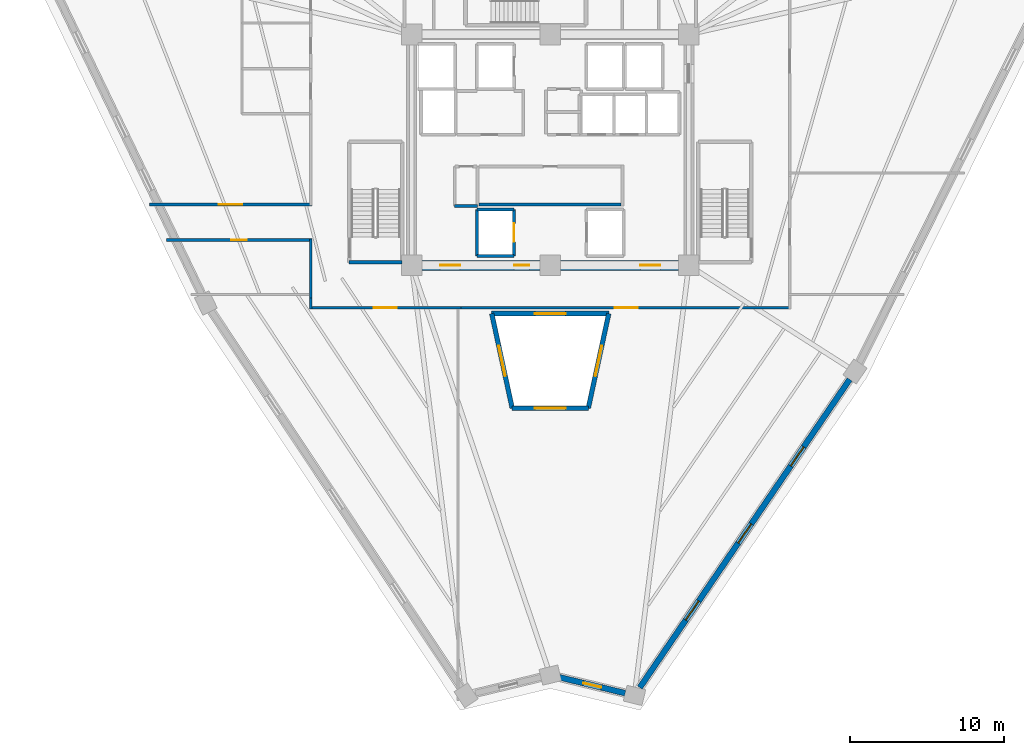
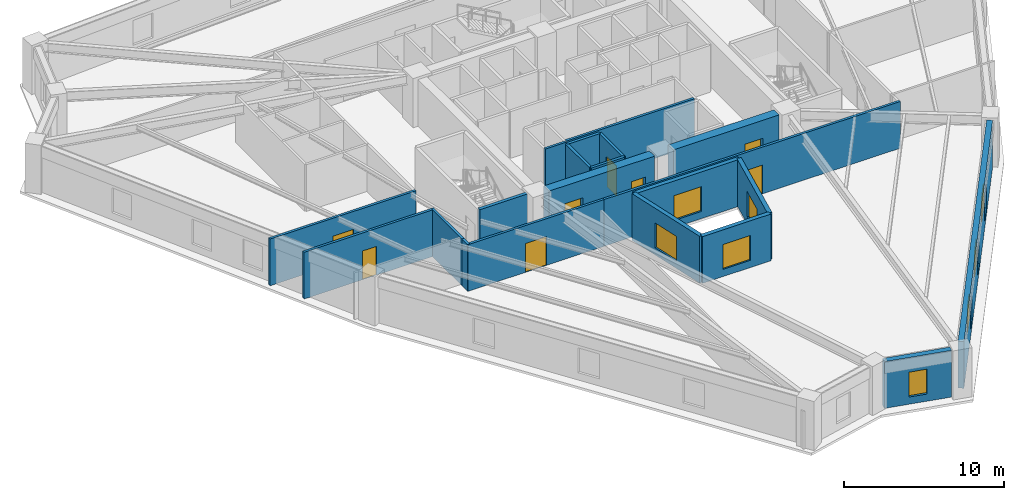
# One storey, part 3 of 8: 21 walls, 8 doors, 8 windows, 16 openings.
"""IFC4 building model written with IfcOpenShell, lengths in metres."""

from ifc_helpers import new_model, si_unit, direction, frame, frame_2d, origin, place, context, subcontext, project, spatial, rectangle, extrude, source, transform, mapped, material, layer, layer_set, type_object, element, fill, save


model = new_model("IFC4")

# Units and contexts
model_context = context("Model", 3, precision=1e-05, world=origin(), true_north=direction((0.0, 1.0)))
body_context = subcontext(model_context, "Body", "Model", "MODEL_VIEW")
ifc_project = project(units=[si_unit("LENGTHUNIT", "METRE"), si_unit("AREAUNIT", "SQUARE_METRE"), si_unit("VOLUMEUNIT", "CUBIC_METRE"), si_unit("PLANEANGLEUNIT", "RADIAN"), si_unit("MASSUNIT", "GRAM", prefix="KILO")], contexts=[model_context])

# Site, building, storey
site_placement = place(None, origin())
site = spatial("IfcSite", under=ifc_project, at=site_placement, CompositionType="ELEMENT")
building_placement = place(site_placement, origin())
building = spatial("IfcBuilding", under=site, at=building_placement, Name="Liaohun Quay Tower", CompositionType="ELEMENT")
storey_placement = place(building_placement, frame((0.0, 0.0, 213.0)))
storey = spatial("IfcBuildingStorey", under=building, at=storey_placement, Name="L55", CompositionType="ELEMENT", Elevation=213.0)

# Wall, opening, window
ifc_material_1 = material(Name="Concrete C50", Category="concrete")
ifc_layer_1 = layer(ifc_material_1, 0.300048828125, Name="Concrete C50", Category="concrete")
ifc_layer_set_1 = layer_set([ifc_layer_1], Name="Concrete C50")
wall_type_1 = type_object("IfcWallType", Name="WAL-ATR-300", PredefinedType="SOLIDWALL", material=ifc_layer_set_1)
wall_1_placement = place(storey_placement, frame((57.529052734375, 37.216064453125, 0.0), z_axis=(0.0, 0.0, 1.0), x_axis=(-0.21140087136, 0.97739944321, 0.0)))
wall_1 = element("IfcWall", 1, at=wall_1_placement, inside=storey, type_object=wall_type_1, Name="L55 Atrium Fire Compartment Wall 1", PredefinedType="SOLIDWALL", context=body_context, shape_type="SweptSolid", body=[
    extrude(rectangle(XDim=6.29638671875, YDim=0.300048828125, at=frame_2d((3.148193359375, 0.0))), origin(), (0.0, 0.0, 1.0), 3.570068359375),
])
shared_shape_1 = source(origin(), body_context, "Body", "SweptSolid", [
    extrude(rectangle(XDim=2.0, YDim=1.89990234375, at=frame_2d((1.0, 0.949951171875))), frame((0.0, 0.159912109375, 0.0), z_axis=(0.0, -1.0, 0.0), x_axis=(1.0, 0.0, 0.0)), (0.0, 0.0, 1.0), 0.320068359375),
])
opening_1_placement = place(wall_1_placement, frame((2.14794921875, 0.0, 0.550048828125)))
opening_1 = element("IfcOpeningElement", 2, at=opening_1_placement, cuts=wall_1, Name="Opening W07", PredefinedType="OPENING", context=body_context, shape_type="MappedRepresentation", body=[
    mapped(shared_shape_1, transform((0.0, 0.0, 0.0), x_axis=(1.0, 0.0, 0.0), y_axis=(0.0, 1.0, 0.0), z_axis=(0.0, 0.0, 1.0), scale=1.0)),
])
ifc_material_2 = material(Name="Class A 180-min fire-resistant insulated glazing", Category="glass")
window_type_1 = type_object("IfcWindowType", Name="WIN-ATR-FIR", PartitioningType="DOUBLE_PANEL_VERTICAL", PredefinedType="WINDOW", material=ifc_material_2)
shared_shape_2 = source(origin(), body_context, "Body", "SweptSolid", [
    extrude(rectangle(XDim=2.0, YDim=1.89990234375, at=frame_2d((1.0, 0.949951171875))), frame((0.0, 0.030029296875, 0.0), z_axis=(0.0, -1.0, 0.0), x_axis=(1.0, 0.0, 0.0)), (0.0, 0.0, 1.0), 0.06005859375),
])
window_1_placement = place(opening_1_placement, origin())
window_1 = element("IfcWindow", 3, at=window_1_placement, inside=storey, type_object=window_type_1, Name="L55 Atrium Fire-Resistant Glazing W07-1", OverallHeight=1.89990234375, OverallWidth=2.0, PartitioningType="DOUBLE_PANEL_VERTICAL", PredefinedType="WINDOW", context=body_context, shape_type="MappedRepresentation", body=[
    mapped(shared_shape_2, transform((0.0, 0.0, 0.0), x_axis=(1.0, 0.0, 0.0), y_axis=(0.0, 1.0, 0.0), z_axis=(0.0, 0.0, 1.0), scale=1.0)),
])
fill(opening_1, window_1)

wall_2_placement = place(storey_placement, frame((56.197998046875, 43.3701171875, 0.0), z_axis=(0.0, 0.0, 1.0), x_axis=(1.0, 0.0, 0.0)))
wall_2 = element("IfcWall", 4, at=wall_2_placement, inside=storey, type_object=wall_type_1, Name="L55 Atrium Fire Compartment Wall 2", PredefinedType="SOLIDWALL", context=body_context, shape_type="SweptSolid", body=[
    extrude(rectangle(XDim=7.60400390625, YDim=0.300048828125, at=frame_2d((3.802001953125, 0.0))), origin(), (0.0, 0.0, 1.0), 3.570068359375),
])
opening_2_placement = place(wall_2_placement, frame((2.802001953125, 0.0, 0.550048828125)))
opening_2 = element("IfcOpeningElement", 5, at=opening_2_placement, cuts=wall_2, Name="Opening W07", PredefinedType="OPENING", context=body_context, shape_type="MappedRepresentation", body=[
    mapped(shared_shape_1, transform((0.0, 0.0, 0.0), x_axis=(1.0, 0.0, 0.0), y_axis=(0.0, 1.0, 0.0), z_axis=(0.0, 0.0, 1.0), scale=1.0)),
])
window_2_placement = place(opening_2_placement, origin())
window_2 = element("IfcWindow", 6, at=window_2_placement, inside=storey, type_object=window_type_1, Name="L55 Atrium Fire-Resistant Glazing W07-2", OverallHeight=1.89990234375, OverallWidth=2.0, PartitioningType="DOUBLE_PANEL_VERTICAL", PredefinedType="WINDOW", context=body_context, shape_type="MappedRepresentation", body=[
    mapped(shared_shape_2, transform((0.0, 0.0, 0.0), x_axis=(1.0, 0.0, 0.0), y_axis=(0.0, 1.0, 0.0), z_axis=(0.0, 0.0, 1.0), scale=1.0)),
])
fill(opening_2, window_2)

wall_3_placement = place(storey_placement, frame((63.802001953125, 43.3701171875, 0.0), z_axis=(0.0, 0.0, 1.0), x_axis=(-0.21140087136, -0.97739944321, 0.0)))
wall_3 = element("IfcWall", 7, at=wall_3_placement, inside=storey, type_object=wall_type_1, Name="L55 Atrium Fire Compartment Wall 3", PredefinedType="SOLIDWALL", context=body_context, shape_type="SweptSolid", body=[
    extrude(rectangle(XDim=6.29638671875, YDim=0.300048828125, at=frame_2d((3.148193359375, 0.0))), origin(), (0.0, 0.0, 1.0), 3.570068359375),
])
opening_3_placement = place(wall_3_placement, frame((2.14794921875, 0.0, 0.550048828125)))
opening_3 = element("IfcOpeningElement", 8, at=opening_3_placement, cuts=wall_3, Name="Opening W07", PredefinedType="OPENING", context=body_context, shape_type="MappedRepresentation", body=[
    mapped(shared_shape_1, transform((0.0, 0.0, 0.0), x_axis=(1.0, 0.0, 0.0), y_axis=(0.0, 1.0, 0.0), z_axis=(0.0, 0.0, 1.0), scale=1.0)),
])
window_3_placement = place(opening_3_placement, origin())
window_3 = element("IfcWindow", 9, at=window_3_placement, inside=storey, type_object=window_type_1, Name="L55 Atrium Fire-Resistant Glazing W07-3", OverallHeight=1.89990234375, OverallWidth=2.0, PartitioningType="DOUBLE_PANEL_VERTICAL", PredefinedType="WINDOW", context=body_context, shape_type="MappedRepresentation", body=[
    mapped(shared_shape_2, transform((0.0, 0.0, 0.0), x_axis=(1.0, 0.0, 0.0), y_axis=(0.0, 1.0, 0.0), z_axis=(0.0, 0.0, 1.0), scale=1.0)),
])
fill(opening_3, window_3)

wall_4_placement = place(storey_placement, frame((62.470947265625, 37.216064453125, 0.0), z_axis=(0.0, 0.0, 1.0), x_axis=(-1.0, 0.0, 0.0)))
wall_4 = element("IfcWall", 10, at=wall_4_placement, inside=storey, type_object=wall_type_1, Name="L55 Atrium Fire Compartment Wall 4", PredefinedType="SOLIDWALL", context=body_context, shape_type="SweptSolid", body=[
    extrude(rectangle(XDim=4.94189453125, YDim=0.300048828125, at=frame_2d((2.470947265625, 0.0))), origin(), (0.0, 0.0, 1.0), 3.570068359375),
])
opening_4_placement = place(wall_4_placement, frame((1.470947265625, 0.0, 0.550048828125)))
opening_4 = element("IfcOpeningElement", 11, at=opening_4_placement, cuts=wall_4, Name="Opening W07", PredefinedType="OPENING", context=body_context, shape_type="MappedRepresentation", body=[
    mapped(shared_shape_1, transform((0.0, 0.0, 0.0), x_axis=(1.0, 0.0, 0.0), y_axis=(0.0, 1.0, 0.0), z_axis=(0.0, 0.0, 1.0), scale=1.0)),
])
window_4_placement = place(opening_4_placement, origin())
window_4 = element("IfcWindow", 12, at=window_4_placement, inside=storey, type_object=window_type_1, Name="L55 Atrium Fire-Resistant Glazing W07-4", OverallHeight=1.89990234375, OverallWidth=2.0, PartitioningType="DOUBLE_PANEL_VERTICAL", PredefinedType="WINDOW", context=body_context, shape_type="MappedRepresentation", body=[
    mapped(shared_shape_2, transform((0.0, 0.0, 0.0), x_axis=(1.0, 0.0, 0.0), y_axis=(0.0, 1.0, 0.0), z_axis=(0.0, 0.0, 1.0), scale=1.0)),
])
fill(opening_4, window_4)

# Wall, opening, door
ifc_material_3 = material(Name="Concrete C55", Category="concrete")
ifc_layer_2 = layer(ifc_material_3, 0.64990234375, Name="Concrete C55", Category="concrete")
ifc_layer_set_2 = layer_set([ifc_layer_2], Name="Concrete C55")
wall_type_2 = type_object("IfcWallType", Name="WAL-COR-Z3", PredefinedType="SHEAR", material=ifc_layer_set_2)
wall_5_placement = place(storey_placement, frame((68.324951171875, 46.5, 0.0), z_axis=(0.0, 0.0, 1.0), x_axis=(-1.0, 0.0, 0.0)))
wall_5 = element("IfcWall", 13, at=wall_5_placement, inside=storey, type_object=wall_type_2, Name="L55 Central Core Shear Wall S-E", PredefinedType="SHEAR", context=body_context, shape_type="SweptSolid", body=[
    extrude(rectangle(XDim=7.64990234375, YDim=0.64990234375, at=frame_2d((3.824951171875, 0.0))), origin(), (0.0, 0.0, 1.0), 3.570068359375),
])
shared_shape_3 = source(origin(), body_context, "Body", "SweptSolid", [
    extrude(rectangle(XDim=1.300048828125, YDim=2.199951171875, at=frame_2d((0.64990234375, 1.10009765625))), frame((0.0, 0.3349609375, 0.0), z_axis=(0.0, -1.0, 0.0), x_axis=(1.0, 0.0, 0.0)), (0.0, 0.0, 1.0), 0.669921875),
])
opening_5_placement = place(wall_5_placement, frame((1.175048828125, 0.0, 0.0)))
opening_5 = element("IfcOpeningElement", 14, at=opening_5_placement, cuts=wall_5, Name="Opening FD1", PredefinedType="OPENING", context=body_context, shape_type="MappedRepresentation", body=[
    mapped(shared_shape_3, transform((0.0, 0.0, 0.0), x_axis=(1.0, 0.0, 0.0), y_axis=(0.0, 1.0, 0.0), z_axis=(0.0, 0.0, 1.0), scale=1.0)),
])
ifc_material_4 = material(Name="Galvanised steel smokeproof fire door", Category="steel")
door_type_1 = type_object("IfcDoorType", Name="DOR-FFL-1300", OperationType="NOTDEFINED", PredefinedType="DOOR", material=ifc_material_4)
shared_shape_4 = source(origin(), body_context, "Body", "SweptSolid", [
    extrude(rectangle(XDim=1.300048828125, YDim=2.199951171875, at=frame_2d((0.64990234375, 1.10009765625))), frame((0.0, 0.02490234375, 0.0), z_axis=(0.0, -1.0, 0.0), x_axis=(1.0, 0.0, 0.0)), (0.0, 0.0, 1.0), 0.050048828125),
])
door_1_placement = place(opening_5_placement, origin())
door_1 = element("IfcDoor", 15, at=door_1_placement, inside=storey, type_object=door_type_1, Name="L55 East Core Lift Lobby Smokeproof Door", OperationType="SINGLE_SWING_LEFT", OverallHeight=2.199951171875, OverallWidth=1.300048828125, PredefinedType="DOOR", context=body_context, shape_type="MappedRepresentation", body=[
    mapped(shared_shape_4, transform((0.0, 0.0, 0.0), x_axis=(1.0, 0.0, 0.0), y_axis=(0.0, 1.0, 0.0), z_axis=(0.0, 0.0, 1.0), scale=1.0)),
])
fill(opening_5, door_1)

# Wall, openings, doors
wall_6_placement = place(storey_placement, frame((59.324951171875, 46.5, 0.0), z_axis=(0.0, 0.0, 1.0), x_axis=(-1.0, 0.0, 0.0)))
wall_6 = element("IfcWall", 16, at=wall_6_placement, inside=storey, type_object=wall_type_2, Name="L55 Central Core Shear Wall S-W", PredefinedType="SHEAR", context=body_context, shape_type="SweptSolid", body=[
    extrude(rectangle(XDim=7.64990234375, YDim=0.64990234375, at=frame_2d((3.824951171875, 0.0))), origin(), (0.0, 0.0, 1.0), 3.570068359375),
])
opening_6_placement = place(wall_6_placement, frame((5.175048828125, 0.0, 0.0)))
opening_6 = element("IfcOpeningElement", 17, at=opening_6_placement, cuts=wall_6, Name="Opening FD1", PredefinedType="OPENING", context=body_context, shape_type="MappedRepresentation", body=[
    mapped(shared_shape_3, transform((0.0, 0.0, 0.0), x_axis=(1.0, 0.0, 0.0), y_axis=(0.0, 1.0, 0.0), z_axis=(0.0, 0.0, 1.0), scale=1.0)),
])
shared_shape_5 = source(origin(), body_context, "Body", "SweptSolid", [
    extrude(rectangle(XDim=1.0, YDim=2.199951171875, at=frame_2d((0.5, 1.10009765625))), frame((0.0, 0.3349609375, 0.0), z_axis=(0.0, -1.0, 0.0), x_axis=(1.0, 0.0, 0.0)), (0.0, 0.0, 1.0), 0.669921875),
])
opening_7_placement = place(wall_6_placement, frame((0.675048828125, 0.0, 0.0)))
opening_7 = element("IfcOpeningElement", 18, at=opening_7_placement, cuts=wall_6, Name="Opening FD2", PredefinedType="OPENING", context=body_context, shape_type="MappedRepresentation", body=[
    mapped(shared_shape_5, transform((0.0, 0.0, 0.0), x_axis=(1.0, 0.0, 0.0), y_axis=(0.0, 1.0, 0.0), z_axis=(0.0, 0.0, 1.0), scale=1.0)),
])
door_2_placement = place(opening_6_placement, origin())
door_2 = element("IfcDoor", 19, at=door_2_placement, inside=storey, type_object=door_type_1, Name="L55 West Core Lift Lobby Smokeproof Door", OperationType="SINGLE_SWING_RIGHT", OverallHeight=2.199951171875, OverallWidth=1.300048828125, PredefinedType="DOOR", context=body_context, shape_type="MappedRepresentation", body=[
    mapped(shared_shape_4, transform((0.0, 0.0, 0.0), x_axis=(1.0, 0.0, 0.0), y_axis=(0.0, 1.0, 0.0), z_axis=(0.0, 0.0, 1.0), scale=1.0)),
])
fill(opening_6, door_2)
ifc_material_5 = material(Name="Galvanised steel smokeproof lobby fire door", Category="steel")
door_type_2 = type_object("IfcDoorType", Name="DOR-FFL-1000", OperationType="NOTDEFINED", PredefinedType="DOOR", material=ifc_material_5)
shared_shape_6 = source(origin(), body_context, "Body", "SweptSolid", [
    extrude(rectangle(XDim=1.0, YDim=2.199951171875, at=frame_2d((0.5, 1.10009765625))), frame((0.0, 0.02490234375, 0.0), z_axis=(0.0, -1.0, 0.0), x_axis=(1.0, 0.0, 0.0)), (0.0, 0.0, 1.0), 0.050048828125),
])
door_3_placement = place(opening_7_placement, origin())
door_3 = element("IfcDoor", 20, at=door_3_placement, inside=storey, type_object=door_type_2, Name="L55 South Firefighting Lobby Smokeproof Door", OperationType="SINGLE_SWING_LEFT", OverallHeight=2.199951171875, OverallWidth=1.0, PredefinedType="DOOR", context=body_context, shape_type="MappedRepresentation", body=[
    mapped(shared_shape_6, transform((0.0, 0.0, 0.0), x_axis=(1.0, 0.0, 0.0), y_axis=(0.0, 1.0, 0.0), z_axis=(0.0, 0.0, 1.0), scale=1.0)),
])
fill(opening_7, door_3)

# Wall, opening, window
ifc_material_6 = material(Name="Precast concrete C50 insulated sandwich", Category="concrete")
ifc_layer_3 = layer(ifc_material_6, 0.3798828125, Name="Precast concrete C50 insulated sandwich", Category="concrete")
ifc_layer_set_3 = layer_set([ifc_layer_3], Name="Precast concrete C50 insulated sandwich")
wall_type_3 = type_object("IfcWallType", Name="WAL-EXT-Z34", PredefinedType="SOLIDWALL", material=ifc_layer_set_3)
wall_7_placement = place(storey_placement, frame((60.597900390625, 19.7451171875, 0.0), z_axis=(0.0, 0.0, 1.0), x_axis=(0.971991723914, -0.235015081735, 0.0)))
wall_7 = element("IfcWall", 21, at=wall_7_placement, inside=storey, type_object=wall_type_3, Name="L55 Brutalist Precast Pier Wall 01", PredefinedType="SOLIDWALL", context=body_context, shape_type="SweptSolid", body=[
    extrude(rectangle(XDim=4.396240234375, YDim=0.3798828125, at=frame_2d((2.1982421875, 0.0))), origin(), (0.0, 0.0, 1.0), 3.570068359375),
])
shared_shape_7 = source(origin(), body_context, "Body", "SweptSolid", [
    extrude(rectangle(XDim=1.199951171875, YDim=1.89990234375, at=frame_2d((0.60009765625, 0.949951171875))), frame((0.0, 0.199951171875, 0.0), z_axis=(0.0, -1.0, 0.0), x_axis=(1.0, 0.0, 0.0)), (0.0, 0.0, 1.0), 0.39990234375),
])
opening_8_placement = place(wall_7_placement, frame((1.597900390625, 0.0, 0.550048828125)))
opening_8 = element("IfcOpeningElement", 22, at=opening_8_placement, cuts=wall_7, Name="Opening W05", PredefinedType="OPENING", context=body_context, shape_type="MappedRepresentation", body=[
    mapped(shared_shape_7, transform((0.0, 0.0, 0.0), x_axis=(1.0, 0.0, 0.0), y_axis=(0.0, 1.0, 0.0), z_axis=(0.0, 0.0, 1.0), scale=1.0)),
])
ifc_material_7 = material(Name="Triple Low-E corner notch glazing", Category="glass")
window_type_2 = type_object("IfcWindowType", Name="WIN-NOTCH", PartitioningType="SINGLE_PANEL", PredefinedType="WINDOW", material=ifc_material_7)
shared_shape_8 = source(origin(), body_context, "Body", "SweptSolid", [
    extrude(rectangle(XDim=1.199951171875, YDim=1.89990234375, at=frame_2d((0.60009765625, 0.949951171875))), frame((0.0, 0.030029296875, 0.0), z_axis=(0.0, -1.0, 0.0), x_axis=(1.0, 0.0, 0.0)), (0.0, 0.0, 1.0), 0.06005859375),
])
window_5_placement = place(opening_8_placement, origin())
window_5 = element("IfcWindow", 23, at=window_5_placement, inside=storey, type_object=window_type_2, Name="L55 Corner Notch Window W05-01", OverallHeight=1.89990234375, OverallWidth=1.199951171875, PartitioningType="SINGLE_PANEL", PredefinedType="WINDOW", context=body_context, shape_type="MappedRepresentation", body=[
    mapped(shared_shape_8, transform((0.0, 0.0, 0.0), x_axis=(1.0, 0.0, 0.0), y_axis=(0.0, 1.0, 0.0), z_axis=(0.0, 0.0, 1.0), scale=1.0)),
])
fill(opening_8, window_5)

# Wall, openings, windows
wall_8_placement = place(storey_placement, frame((65.81494140625, 19.075927734375, 0.0), z_axis=(0.0, 0.0, 1.0), x_axis=(0.562867607659, 0.82654706838, 0.0)))
wall_8 = element("IfcWall", 24, at=wall_8_placement, inside=storey, type_object=wall_type_3, Name="L55 Brutalist Precast Pier Wall 02", PredefinedType="SOLIDWALL", context=body_context, shape_type="SweptSolid", body=[
    extrude(rectangle(XDim=24.222412109375, YDim=0.3798828125, at=frame_2d((12.111328125, 0.0))), origin(), (0.0, 0.0, 1.0), 3.570068359375),
])
shared_shape_9 = source(origin(), body_context, "Body", "SweptSolid", [
    extrude(rectangle(XDim=1.5, YDim=1.89990234375, at=frame_2d((0.75, 0.949951171875))), frame((0.0, 0.199951171875, 0.0), z_axis=(0.0, -1.0, 0.0), x_axis=(1.0, 0.0, 0.0)), (0.0, 0.0, 1.0), 0.39990234375),
])
opening_9_placement = place(wall_8_placement, frame((5.305908203125, 0.0, 0.550048828125)))
opening_9 = element("IfcOpeningElement", 25, at=opening_9_placement, cuts=wall_8, Name="Opening W03", PredefinedType="OPENING", context=body_context, shape_type="MappedRepresentation", body=[
    mapped(shared_shape_9, transform((0.0, 0.0, 0.0), x_axis=(1.0, 0.0, 0.0), y_axis=(0.0, 1.0, 0.0), z_axis=(0.0, 0.0, 1.0), scale=1.0)),
])
opening_10_placement = place(wall_8_placement, frame((11.361083984375, 0.0, 0.550048828125)))
opening_10 = element("IfcOpeningElement", 26, at=opening_10_placement, cuts=wall_8, Name="Opening W03", PredefinedType="OPENING", context=body_context, shape_type="MappedRepresentation", body=[
    mapped(shared_shape_9, transform((0.0, 0.0, 0.0), x_axis=(1.0, 0.0, 0.0), y_axis=(0.0, 1.0, 0.0), z_axis=(0.0, 0.0, 1.0), scale=1.0)),
])
opening_11_placement = place(wall_8_placement, frame((17.4169921875, 0.0, 0.550048828125)))
opening_11 = element("IfcOpeningElement", 27, at=opening_11_placement, cuts=wall_8, Name="Opening W03", PredefinedType="OPENING", context=body_context, shape_type="MappedRepresentation", body=[
    mapped(shared_shape_9, transform((0.0, 0.0, 0.0), x_axis=(1.0, 0.0, 0.0), y_axis=(0.0, 1.0, 0.0), z_axis=(0.0, 0.0, 1.0), scale=1.0)),
])
ifc_material_8 = material(Name="Triple Low-E argon glazing in thermally broken aluminium", Category="aluminium")
window_type_3 = type_object("IfcWindowType", Name="WIN-PUN-Z3", PartitioningType="DOUBLE_PANEL_VERTICAL", PredefinedType="WINDOW", material=ifc_material_8)
shared_shape_10 = source(origin(), body_context, "Body", "SweptSolid", [
    extrude(rectangle(XDim=1.5, YDim=1.89990234375, at=frame_2d((0.75, 0.949951171875))), frame((0.0, 0.030029296875, 0.0), z_axis=(0.0, -1.0, 0.0), x_axis=(1.0, 0.0, 0.0)), (0.0, 0.0, 1.0), 0.06005859375),
])
window_6_placement = place(opening_9_placement, origin())
window_6 = element("IfcWindow", 28, at=window_6_placement, inside=storey, type_object=window_type_3, Name="L55 Recessed Cold-Climate Punched Window 02-1", OverallHeight=1.89990234375, OverallWidth=1.5, PartitioningType="DOUBLE_PANEL_VERTICAL", PredefinedType="WINDOW", context=body_context, shape_type="MappedRepresentation", body=[
    mapped(shared_shape_10, transform((0.0, 0.0, 0.0), x_axis=(1.0, 0.0, 0.0), y_axis=(0.0, 1.0, 0.0), z_axis=(0.0, 0.0, 1.0), scale=1.0)),
])
fill(opening_9, window_6)
window_7_placement = place(opening_10_placement, origin())
window_7 = element("IfcWindow", 29, at=window_7_placement, inside=storey, type_object=window_type_3, Name="L55 Recessed Cold-Climate Punched Window 02-2", OverallHeight=1.89990234375, OverallWidth=1.5, PartitioningType="DOUBLE_PANEL_VERTICAL", PredefinedType="WINDOW", context=body_context, shape_type="MappedRepresentation", body=[
    mapped(shared_shape_10, transform((0.0, 0.0, 0.0), x_axis=(1.0, 0.0, 0.0), y_axis=(0.0, 1.0, 0.0), z_axis=(0.0, 0.0, 1.0), scale=1.0)),
])
fill(opening_10, window_7)
window_8_placement = place(opening_11_placement, origin())
window_8 = element("IfcWindow", 30, at=window_8_placement, inside=storey, type_object=window_type_3, Name="L55 Recessed Cold-Climate Punched Window 02-3", OverallHeight=1.89990234375, OverallWidth=1.5, PartitioningType="DOUBLE_PANEL_VERTICAL", PredefinedType="WINDOW", context=body_context, shape_type="MappedRepresentation", body=[
    mapped(shared_shape_10, transform((0.0, 0.0, 0.0), x_axis=(1.0, 0.0, 0.0), y_axis=(0.0, 1.0, 0.0), z_axis=(0.0, 0.0, 1.0), scale=1.0)),
])
fill(opening_11, window_8)

# Wall, opening, door
ifc_material_9 = material(Name="Autoclaved aerated concrete blockwork", Category="masonry")
ifc_layer_4 = layer(ifc_material_9, 0.179931640625, Name="Autoclaved aerated concrete blockwork", Category="masonry")
ifc_layer_set_4 = layer_set([ifc_layer_4], Name="Autoclaved aerated concrete blockwork")
wall_type_4 = type_object("IfcWallType", Name="WAL-PRT-COR", PredefinedType="PARTITIONING", material=ifc_layer_set_4)
wall_9_placement = place(storey_placement, frame((33.9560546875, 50.4599609375, 0.0), z_axis=(0.0, 0.0, 1.0), x_axis=(1.0, 0.0, 0.0)))
wall_9 = element("IfcWall", 31, at=wall_9_placement, inside=storey, type_object=wall_type_4, Name="L55 Interior Partition Wall 019", PredefinedType="PARTITIONING", context=body_context, shape_type="SweptSolid", body=[
    extrude(rectangle(XDim=10.553955078125, YDim=0.179931640625, at=frame_2d((5.27685546875, 0.0))), origin(), (0.0, 0.0, 1.0), 3.570068359375),
])
shared_shape_11 = source(origin(), body_context, "Body", "SweptSolid", [
    extrude(rectangle(XDim=1.5, YDim=2.199951171875, at=frame_2d((0.75, 1.10009765625))), frame((0.0, 0.099853515625, 0.0), z_axis=(0.0, -1.0, 0.0), x_axis=(1.0, 0.0, 0.0)), (0.0, 0.0, 1.0), 0.199951171875),
])
opening_12_placement = place(wall_9_placement, frame((4.527099609375, 0.0, 0.0)))
opening_12 = element("IfcOpeningElement", 32, at=opening_12_placement, cuts=wall_9, Name="Opening OD2", PredefinedType="OPENING", context=body_context, shape_type="MappedRepresentation", body=[
    mapped(shared_shape_11, transform((0.0, 0.0, 0.0), x_axis=(1.0, 0.0, 0.0), y_axis=(0.0, 1.0, 0.0), z_axis=(0.0, 0.0, 1.0), scale=1.0)),
])
ifc_material_10 = material(Name="Acoustic oak veneer double door")
door_type_3 = type_object("IfcDoorType", Name="DOR-OFF-1500", OperationType="DOUBLE_DOOR_SINGLE_SWING", PredefinedType="DOOR", material=ifc_material_10)
shared_shape_12 = source(origin(), body_context, "Body", "SweptSolid", [
    extrude(rectangle(XDim=1.5, YDim=2.199951171875, at=frame_2d((0.75, 1.10009765625))), frame((0.0, 0.02490234375, 0.0), z_axis=(0.0, -1.0, 0.0), x_axis=(1.0, 0.0, 0.0)), (0.0, 0.0, 1.0), 0.050048828125),
])
door_4_placement = place(opening_12_placement, origin())
door_4 = element("IfcDoor", 33, at=door_4_placement, inside=storey, type_object=door_type_3, Name="L55 Project Collaboration Studio 04 Door", OperationType="DOUBLE_DOOR_SINGLE_SWING", OverallHeight=2.199951171875, OverallWidth=1.5, PredefinedType="DOOR", context=body_context, shape_type="MappedRepresentation", body=[
    mapped(shared_shape_12, transform((0.0, 0.0, 0.0), x_axis=(1.0, 0.0, 0.0), y_axis=(0.0, 1.0, 0.0), z_axis=(0.0, 0.0, 1.0), scale=1.0)),
])
fill(opening_12, door_4)

wall_10_placement = place(storey_placement, frame((44.510009765625, 48.139892578125, 0.0), z_axis=(0.0, 0.0, 1.0), x_axis=(-1.0, 0.0, 0.0)))
wall_10 = element("IfcWall", 34, at=wall_10_placement, inside=storey, type_object=wall_type_4, Name="L55 Interior Partition Wall 020", PredefinedType="PARTITIONING", context=body_context, shape_type="SweptSolid", body=[
    extrude(rectangle(XDim=9.43603515625, YDim=0.179931640625, at=frame_2d((4.718017578125, 0.0))), origin(), (0.0, 0.0, 1.0), 3.570068359375),
])
shared_shape_13 = source(origin(), body_context, "Body", "SweptSolid", [
    extrude(rectangle(XDim=1.0, YDim=2.199951171875, at=frame_2d((0.5, 1.10009765625))), frame((0.0, 0.099853515625, 0.0), z_axis=(0.0, -1.0, 0.0), x_axis=(1.0, 0.0, 0.0)), (0.0, 0.0, 1.0), 0.199951171875),
])
opening_13_placement = place(wall_10_placement, frame((4.218017578125, 0.0, 0.0)))
opening_13 = element("IfcOpeningElement", 35, at=opening_13_placement, cuts=wall_10, Name="Opening OD1", PredefinedType="OPENING", context=body_context, shape_type="MappedRepresentation", body=[
    mapped(shared_shape_13, transform((0.0, 0.0, 0.0), x_axis=(1.0, 0.0, 0.0), y_axis=(0.0, 1.0, 0.0), z_axis=(0.0, 0.0, 1.0), scale=1.0)),
])
ifc_material_11 = material(Name="Solid-core oak veneer timber leaf in steel frame", Category="steel")
door_type_4 = type_object("IfcDoorType", Name="DOR-OFF-1000", OperationType="NOTDEFINED", PredefinedType="DOOR", material=ifc_material_11)
door_5_placement = place(opening_13_placement, origin())
door_5 = element("IfcDoor", 36, at=door_5_placement, inside=storey, type_object=door_type_4, Name="L55 Client Collaboration Lounge 05 Door", OperationType="SINGLE_SWING_LEFT", OverallHeight=2.199951171875, OverallWidth=1.0, PredefinedType="DOOR", context=body_context, shape_type="MappedRepresentation", body=[
    mapped(shared_shape_6, transform((0.0, 0.0, 0.0), x_axis=(1.0, 0.0, 0.0), y_axis=(0.0, 1.0, 0.0), z_axis=(0.0, 0.0, 1.0), scale=1.0)),
])
fill(opening_13, door_5)

wall_11_placement = place(storey_placement, frame((54.215087890625, 43.739990234375, 0.0), z_axis=(0.0, 0.0, 1.0), x_axis=(-1.0, 0.0, 0.0)))
wall_11 = element("IfcWall", 37, at=wall_11_placement, inside=storey, type_object=wall_type_4, Name="L55 Interior Partition Wall 021", PredefinedType="PARTITIONING", context=body_context, shape_type="SweptSolid", body=[
    extrude(rectangle(XDim=9.844970703125, YDim=0.179931640625, at=frame_2d((4.92236328125, 0.0))), origin(), (0.0, 0.0, 1.0), 3.570068359375),
])
opening_14_placement = place(wall_11_placement, frame((4.173095703125, 0.0, 0.0)))
opening_14 = element("IfcOpeningElement", 38, at=opening_14_placement, cuts=wall_11, Name="Opening OD2", PredefinedType="OPENING", context=body_context, shape_type="MappedRepresentation", body=[
    mapped(shared_shape_11, transform((0.0, 0.0, 0.0), x_axis=(1.0, 0.0, 0.0), y_axis=(0.0, 1.0, 0.0), z_axis=(0.0, 0.0, 1.0), scale=1.0)),
])
door_6_placement = place(opening_14_placement, origin())
door_6 = element("IfcDoor", 39, at=door_6_placement, inside=storey, type_object=door_type_3, Name="L55 Staff Tea Kitchen and Pantry 06 Door", OperationType="DOUBLE_DOOR_SINGLE_SWING", OverallHeight=2.199951171875, OverallWidth=1.5, PredefinedType="DOOR", context=body_context, shape_type="MappedRepresentation", body=[
    mapped(shared_shape_12, transform((0.0, 0.0, 0.0), x_axis=(1.0, 0.0, 0.0), y_axis=(0.0, 1.0, 0.0), z_axis=(0.0, 0.0, 1.0), scale=1.0)),
])
fill(opening_14, door_6)

wall_12_placement = place(storey_placement, frame((75.6298828125, 43.739990234375, 0.0), z_axis=(0.0, 0.0, 1.0), x_axis=(-1.0, 0.0, 0.0)))
wall_12 = element("IfcWall", 40, at=wall_12_placement, inside=storey, type_object=wall_type_4, Name="L55 Interior Partition Wall 022", PredefinedType="PARTITIONING", context=body_context, shape_type="SweptSolid", body=[
    extrude(rectangle(XDim=21.414794921875, YDim=0.179931640625, at=frame_2d((10.70751953125, 0.0))), origin(), (0.0, 0.0, 1.0), 3.570068359375),
])
opening_15_placement = place(wall_12_placement, frame((9.95703125, 0.0, 0.0)))
opening_15 = element("IfcOpeningElement", 41, at=opening_15_placement, cuts=wall_12, Name="Opening OD2", PredefinedType="OPENING", context=body_context, shape_type="MappedRepresentation", body=[
    mapped(shared_shape_11, transform((0.0, 0.0, 0.0), x_axis=(1.0, 0.0, 0.0), y_axis=(0.0, 1.0, 0.0), z_axis=(0.0, 0.0, 1.0), scale=1.0)),
])
door_7_placement = place(opening_15_placement, origin())
door_7 = element("IfcDoor", 42, at=door_7_placement, inside=storey, type_object=door_type_3, Name="L55 Staff Daycare Nursery 07 Door", OperationType="DOUBLE_DOOR_SINGLE_SWING", OverallHeight=2.199951171875, OverallWidth=1.5, PredefinedType="DOOR", context=body_context, shape_type="MappedRepresentation", body=[
    mapped(shared_shape_12, transform((0.0, 0.0, 0.0), x_axis=(1.0, 0.0, 0.0), y_axis=(0.0, 1.0, 0.0), z_axis=(0.0, 0.0, 1.0), scale=1.0)),
])
fill(opening_15, door_7)

# Walls
wall_13_placement = place(storey_placement, frame((53.7900390625, 50.35009765625, 0.0), z_axis=(0.0, 0.0, 1.0), x_axis=(1.0, 0.0, 0.0)))
element("IfcWall", 43, at=wall_13_placement, inside=storey, type_object=wall_type_4, Name="L55 Interior Partition Wall 028", PredefinedType="PARTITIONING", context=body_context, shape_type="SweptSolid", body=[
    extrude(rectangle(XDim=1.489990234375, YDim=0.179931640625, at=frame_2d((0.7451171875, 0.0))), origin(), (0.0, 0.0, 1.0), 3.570068359375),
])
wall_14_placement = place(storey_placement, frame((44.43994140625, 44.385009765625, 0.0), z_axis=(0.0, 0.0, 1.0), x_axis=(0.0, 1.0, 0.0)))
element("IfcWall", 44, at=wall_14_placement, inside=storey, type_object=wall_type_4, Name="L55 Interior Partition Wall 046", PredefinedType="PARTITIONING", context=body_context, shape_type="SweptSolid", body=[
    extrude(rectangle(XDim=3.824951171875, YDim=0.179931640625, at=frame_2d((1.91259765625, 0.0))), origin(), (0.0, 0.0, 1.0), 3.570068359375),
])
wall_15_placement = place(storey_placement, frame((44.43994140625, 43.669921875, 0.0), z_axis=(0.0, 0.0, 1.0), x_axis=(0.0, 1.0, 0.0)))
element("IfcWall", 45, at=wall_15_placement, inside=storey, type_object=wall_type_4, Name="L55 Interior Partition Wall 047", PredefinedType="PARTITIONING", context=body_context, shape_type="SweptSolid", body=[
    extrude(rectangle(XDim=0.715087890625, YDim=0.179931640625, at=frame_2d((0.357421875, 0.0))), origin(), (0.0, 0.0, 1.0), 3.570068359375),
])
wall_16_placement = place(storey_placement, frame((55.3701171875, 50.449951171875, 0.0), z_axis=(0.0, 0.0, 1.0), x_axis=(1.0, 0.0, 0.0)))
element("IfcWall", 46, at=wall_16_placement, inside=storey, type_object=wall_type_4, Name="L55 Interior Partition Wall 056", PredefinedType="PARTITIONING", context=body_context, shape_type="SweptSolid", body=[
    extrude(rectangle(XDim=9.239990234375, YDim=0.179931640625, at=frame_2d((4.6201171875, 0.0))), origin(), (0.0, 0.0, 1.0), 3.570068359375),
])
ifc_layer_5 = layer(ifc_material_1, 0.239990234375, Name="Concrete C50", Category="concrete")
ifc_layer_set_5 = layer_set([ifc_layer_5], Name="Concrete C50")
wall_type_5 = type_object("IfcWallType", Name="WAL-SHF-200", PredefinedType="SOLIDWALL", material=ifc_layer_set_5)
wall_17_placement = place(storey_placement, frame((46.93994140625, 46.699951171875, 0.0), z_axis=(0.0, 0.0, 1.0), x_axis=(1.0, 0.0, 0.0)))
element("IfcWall", 47, at=wall_17_placement, inside=storey, type_object=wall_type_5, Name="L55 Stairwell ST-1 Structural Core Wall S", PredefinedType="SOLIDWALL", context=body_context, shape_type="SweptSolid", body=[
    extrude(rectangle(XDim=3.43994140625, YDim=0.239990234375, at=frame_2d((1.719970703125, 0.0))), origin(), (0.0, 0.0, 1.0), 3.570068359375),
])
wall_18_placement = place(storey_placement, frame((55.25, 47.1201171875, 0.0), z_axis=(0.0, 0.0, 1.0), x_axis=(1.0, 0.0, 0.0)))
element("IfcWall", 48, at=wall_18_placement, inside=storey, type_object=wall_type_5, Name="L55 Lift FF-01 Hoistway Wall S", PredefinedType="SOLIDWALL", context=body_context, shape_type="SweptSolid", body=[
    extrude(rectangle(XDim=2.39990234375, YDim=0.199951171875, at=frame_2d((1.199951171875, 0.0))), origin(), (0.0, 0.0, 1.0), 3.570068359375),
])

# Wall, opening, door
wall_19_placement = place(storey_placement, frame((57.64990234375, 47.1201171875, 0.0), z_axis=(0.0, 0.0, 1.0), x_axis=(0.0, 1.0, 0.0)))
wall_19 = element("IfcWall", 49, at=wall_19_placement, inside=storey, type_object=wall_type_5, Name="L55 Lift FF-01 Hoistway Wall E", PredefinedType="SOLIDWALL", context=body_context, shape_type="SweptSolid", body=[
    extrude(rectangle(XDim=3.0, YDim=0.199951171875, at=frame_2d((1.5, 0.0))), origin(), (0.0, 0.0, 1.0), 3.570068359375),
])
shared_shape_14 = source(origin(), body_context, "Body", "SweptSolid", [
    extrude(rectangle(XDim=1.199951171875, YDim=2.300048828125, at=frame_2d((0.60009765625, 1.14990234375))), frame((0.0, 0.10986328125, 0.0), z_axis=(0.0, -1.0, 0.0), x_axis=(1.0, 0.0, 0.0)), (0.0, 0.0, 1.0), 0.219970703125),
])
opening_16_placement = place(wall_19_placement, frame((0.89990234375, 0.0, 0.0)))
opening_16 = element("IfcOpeningElement", 50, at=opening_16_placement, cuts=wall_19, Name="Opening LD2", PredefinedType="OPENING", context=body_context, shape_type="MappedRepresentation", body=[
    mapped(shared_shape_14, transform((0.0, 0.0, 0.0), x_axis=(1.0, 0.0, 0.0), y_axis=(0.0, 1.0, 0.0), z_axis=(0.0, 0.0, 1.0), scale=1.0)),
])
ifc_material_12 = material(Name="Brushed stainless steel stretcher landing door", Category="steel")
door_type_5 = type_object("IfcDoorType", Name="DOR-LFT-1200", OperationType="SLIDING_TO_LEFT", PredefinedType="DOOR", material=ifc_material_12)
shared_shape_15 = source(origin(), body_context, "Body", "SweptSolid", [
    extrude(rectangle(XDim=1.199951171875, YDim=2.300048828125, at=frame_2d((0.60009765625, 1.14990234375))), frame((0.0, 0.02490234375, 0.0), z_axis=(0.0, -1.0, 0.0), x_axis=(1.0, 0.0, 0.0)), (0.0, 0.0, 1.0), 0.050048828125),
])
door_8_placement = place(opening_16_placement, origin())
door_8 = element("IfcDoor", 51, at=door_8_placement, inside=storey, type_object=door_type_5, Name="L55 Lift FF-01 Sliding Landing Door", OperationType="SLIDING_TO_LEFT", OverallHeight=2.300048828125, OverallWidth=1.199951171875, PredefinedType="DOOR", context=body_context, shape_type="MappedRepresentation", body=[
    mapped(shared_shape_15, transform((0.0, 0.0, 0.0), x_axis=(1.0, 0.0, 0.0), y_axis=(0.0, 1.0, 0.0), z_axis=(0.0, 0.0, 1.0), scale=1.0)),
])
fill(opening_16, door_8)

# Walls
wall_20_placement = place(storey_placement, frame((57.64990234375, 50.1201171875, 0.0), z_axis=(0.0, 0.0, 1.0), x_axis=(-1.0, 0.0, 0.0)))
element("IfcWall", 52, at=wall_20_placement, inside=storey, type_object=wall_type_5, Name="L55 Lift FF-01 Hoistway Wall N", PredefinedType="SOLIDWALL", context=body_context, shape_type="SweptSolid", body=[
    extrude(rectangle(XDim=2.39990234375, YDim=0.199951171875, at=frame_2d((1.199951171875, 0.0))), origin(), (0.0, 0.0, 1.0), 3.570068359375),
])
wall_21_placement = place(storey_placement, frame((55.25, 50.1201171875, 0.0), z_axis=(0.0, 0.0, 1.0), x_axis=(0.0, -1.0, 0.0)))
element("IfcWall", 53, at=wall_21_placement, inside=storey, type_object=wall_type_5, Name="L55 Lift FF-01 Hoistway Wall W", PredefinedType="SOLIDWALL", context=body_context, shape_type="SweptSolid", body=[
    extrude(rectangle(XDim=3.0, YDim=0.199951171875, at=frame_2d((1.5, 0.0))), origin(), (0.0, 0.0, 1.0), 3.570068359375),
])

save(model, "model.ifc")
